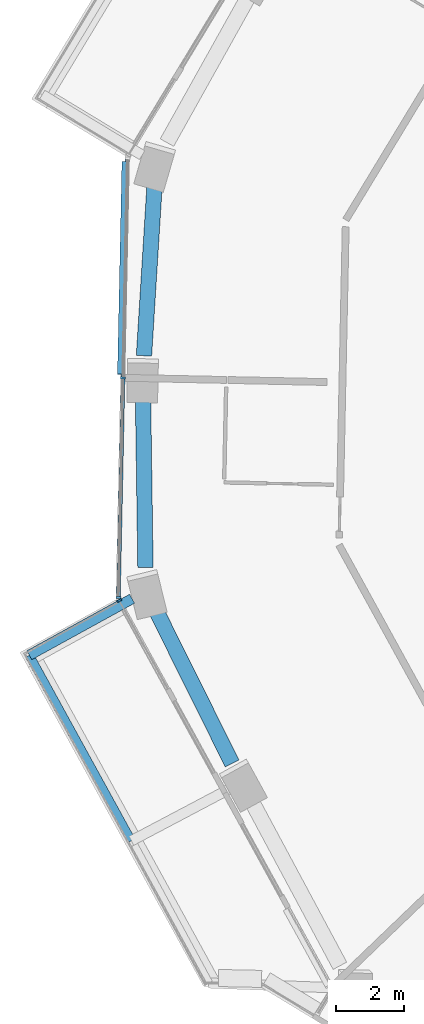
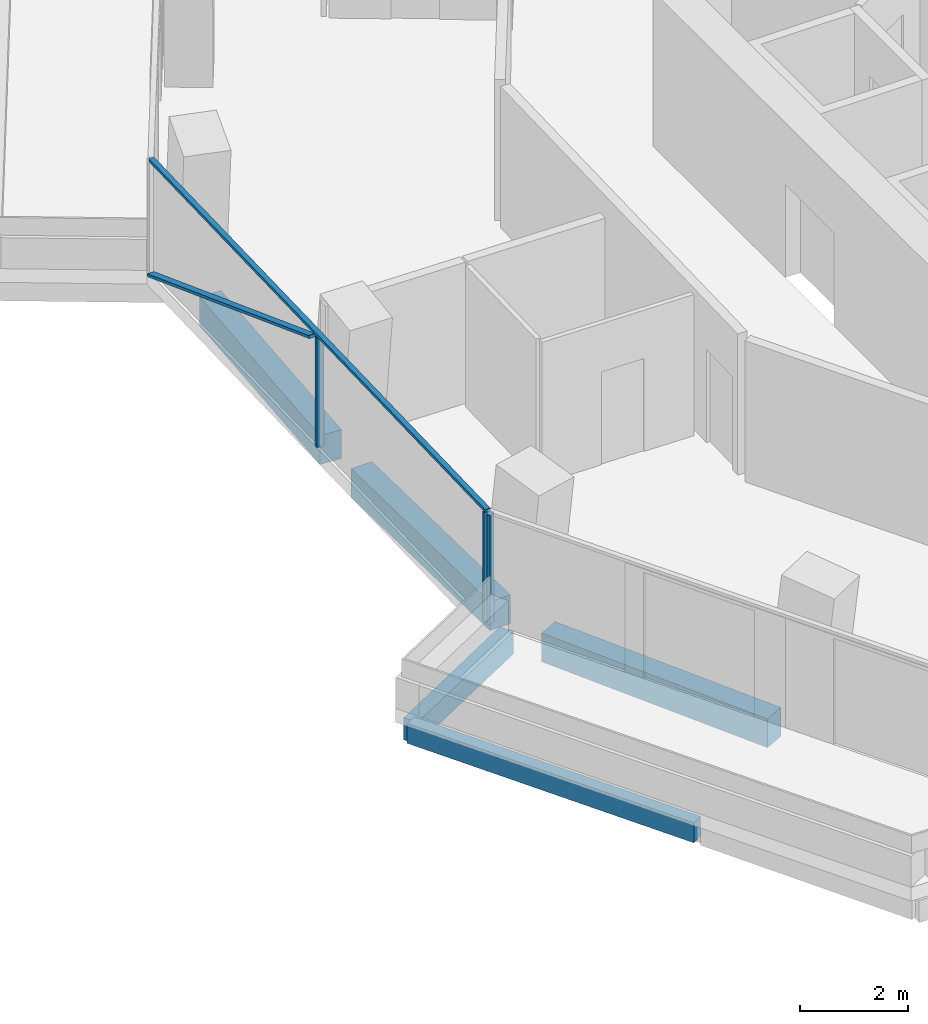
# One storey, part 4 of 22: 5 beams, 5 members, 2 elements without a shape of their own.
"""IFC4 building model written with IfcOpenShell, lengths in metres."""

from ifc_helpers import new_model, si_unit, direction, frame, origin, origin_2d, place, context, subcontext, project, spatial, rectangle, extrude, material, layer, layer_set, material_profile, profile_set, type_object, element, aggregate, save


model = new_model("IFC4")

# Units and contexts
model_context = context("Model", 3, precision=1e-05, world=origin(), true_north=direction((0.0, 1.0)))
body_context = subcontext(model_context, "Body", "Model", "MODEL_VIEW")
ifc_project = project(units=[si_unit("LENGTHUNIT", "METRE"), si_unit("AREAUNIT", "SQUARE_METRE"), si_unit("VOLUMEUNIT", "CUBIC_METRE"), si_unit("PLANEANGLEUNIT", "RADIAN"), si_unit("MASSUNIT", "GRAM", prefix="KILO")], contexts=[model_context])

# Site, building, storey
site_placement = place(None, origin())
site = spatial("IfcSite", under=ifc_project, at=site_placement, CompositionType="ELEMENT")
building_placement = place(site_placement, origin())
building = spatial("IfcBuilding", under=site, at=building_placement, Name="Verdalira Terraces Hotel", CompositionType="ELEMENT")
storey_placement = place(building_placement, frame((0.0, 0.0, 150.5)))
storey = spatial("IfcBuildingStorey", under=building, at=storey_placement, Name="L36", CompositionType="ELEMENT", Elevation=150.5)

# Beams
ifc_material_1 = material(Name="Concrete C40", Category="concrete")
ifc_material_profile_1 = material_profile(ifc_material_1, rectangle(XDim=0.300049, YDim=0.5, at=origin_2d()), Name="RC 300X500")
ifc_profile_set_1 = profile_set([ifc_material_profile_1], Name="Concrete C40")
beam_type_1 = type_object("IfcBeamType", Name="Balcony cantilever beam RC 300X500 C40", PredefinedType="BEAM", material=ifc_profile_set_1)
beam_1_placement = place(storey_placement, frame((-23.912842, -5.961182, -0.560059), z_axis=(-0.876286498, -0.481790384, 0.0), x_axis=(0.481790384, -0.876286498, 0.0)))
element("IfcBeam", 1, at=beam_1_placement, inside=storey, type_object=beam_type_1, Name="Balcony cantilever beam R13-1", PredefinedType="BEAM", context=body_context, shape_type="SweptSolid", body=[
    extrude(rectangle(XDim=0.300049, YDim=0.5, at=origin_2d()), origin(), (0.0, 0.0, 1.0), 3.431641),
])
ifc_material_2 = material(Name="Concrete C40", Category="concrete")
ifc_material_profile_2 = material_profile(ifc_material_2, rectangle(XDim=0.25, YDim=0.449951, at=origin_2d()), Name="RC 250X450")
ifc_profile_set_2 = profile_set([ifc_material_profile_2], Name="Concrete C40")
beam_type_2 = type_object("IfcBeamType", Name="Balcony edge beam RC 250X450 C40", PredefinedType="BEAM", material=ifc_profile_set_2)
beam_2_placement = place(storey_placement, frame((-26.919922, -7.614502, -0.534912), z_axis=(0.481746416, -0.87631067, 0.0), x_axis=(0.87631067, 0.481746416, 0.0)))
element("IfcBeam", 2, at=beam_2_placement, inside=storey, type_object=beam_type_2, Name="Balcony edge beam R13-1", PredefinedType="BEAM", context=body_context, shape_type="SweptSolid", body=[
    extrude(rectangle(XDim=0.25, YDim=0.449951, at=origin_2d()), origin(), (0.0, 0.0, 1.0), 6.199951),
])

# Curtain wall, members
ifc_material_3 = material(Name="Clear glass", Category="glass")
ifc_layer = layer(ifc_material_3, 0.14990234375)
ifc_layer_set = layer_set([ifc_layer], Name="CW1 curtain wall")
curtain_wall_type = type_object("IfcCurtainWallType", Name="CW1 curtain wall", PredefinedType="NOTDEFINED", material=ifc_layer_set)
curtain_wall_1_placement = place(storey_placement, origin())
curtain_wall_1 = element("IfcCurtainWall", 3, at=curtain_wall_1_placement, inside=storey, type_object=curtain_wall_type, Name="CW1 curtain wall L36 edge 12", PredefinedType="NOTDEFINED")
ifc_material_4 = material(Name="Terracotta frame", Category="masonry")
ifc_material_profile_3 = material_profile(ifc_material_4, rectangle(XDim=0.060059, YDim=0.149902, at=origin_2d()), Name="MU 60x150")
ifc_profile_set_3 = profile_set([ifc_material_profile_3], Name="Terracotta frame")
member_type_1 = type_object("IfcMemberType", Name="CW1 mullion 60x150", PredefinedType="MULLION", material=ifc_profile_set_3)
member_1_placement = place(storey_placement, frame((-24.177979, 0.506348, 0.0), z_axis=(0.0, 0.0, 1.0), x_axis=(-0.02094242, -0.999780683, 0.0)))
member_1 = element("IfcMember", 4, at=member_1_placement, type_object=member_type_1, Name="CW1 mullion", PredefinedType="MULLION", context=body_context, shape_type="SweptSolid", body=[
    extrude(rectangle(XDim=0.060059, YDim=0.149902, at=origin_2d()), origin(), (0.0, 0.0, 1.0), 2.475098),
])
member_2_placement = place(storey_placement, frame((-24.312744, -5.921875, 0.0), z_axis=(0.0, 0.0, 1.0), x_axis=(-0.02094242, -0.999780683, 0.0)))
member_2 = element("IfcMember", 5, at=member_2_placement, type_object=member_type_1, Name="CW1 mullion", PredefinedType="MULLION", context=body_context, shape_type="SweptSolid", body=[
    extrude(rectangle(XDim=0.060059, YDim=0.149902, at=origin_2d()), origin(), (0.0, 0.0, 1.0), 2.475098),
])

# Curtain wall, member
curtain_wall_2_placement = place(storey_placement, origin())
curtain_wall_2 = element("IfcCurtainWall", 6, at=curtain_wall_2_placement, inside=storey, type_object=curtain_wall_type, Name="CW1 curtain wall L36 edge 13", PredefinedType="NOTDEFINED")
member_3_placement = place(storey_placement, frame((-24.289551, -6.015869, 0.0), z_axis=(0.0, 0.0, 1.0), x_axis=(0.481753674, -0.87630668, 0.0)))
member_3 = element("IfcMember", 7, at=member_3_placement, type_object=member_type_1, Name="CW1 mullion", PredefinedType="MULLION", context=body_context, shape_type="SweptSolid", body=[
    extrude(rectangle(XDim=0.060059, YDim=0.149902, at=origin_2d()), origin(), (0.0, 0.0, 1.0), 2.475098),
])
aggregate(curtain_wall_2, [member_3])

# Member
ifc_material_5 = material(Name="Terracotta frame", Category="masonry")
ifc_material_profile_4 = material_profile(ifc_material_5, rectangle(XDim=0.110107, YDim=0.064941, at=origin_2d()), Name="TR 65x110")
ifc_profile_set_4 = profile_set([ifc_material_profile_4], Name="Terracotta frame")
member_type_2 = type_object("IfcMemberType", Name="CW1 transom 65x110", PredefinedType="USERDEFINED", material=ifc_profile_set_4)
member_4_placement = place(storey_placement, frame((-24.042725, 6.964844, 2.507568), z_axis=(-0.020937817, -0.99978078, 0.0), x_axis=(0.99978078, -0.020937817, 0.0)))
member_4 = element("IfcMember", 8, at=member_4_placement, type_object=member_type_2, Name="CW1 transom", ObjectType="TRANSOM", PredefinedType="USERDEFINED", context=body_context, shape_type="SweptSolid", body=[
    extrude(rectangle(XDim=0.110107, YDim=0.064941, at=origin_2d()), origin(), (0.0, 0.0, 1.0), 12.919678),
])

ifc_material_6 = material(Name="Terracotta frame", Category="masonry")
ifc_material_profile_5 = material_profile(ifc_material_6, rectangle(XDim=0.149902, YDim=0.060059, at=origin_2d()), Name="GB 60x150")
ifc_profile_set_5 = profile_set([ifc_material_profile_5], Name="Terracotta frame")
member_type_3 = type_object("IfcMemberType", Name="Diagonal glazing bar 60x150", PredefinedType="USERDEFINED", material=ifc_profile_set_5)
member_5_placement = place(storey_placement, frame((-24.134521, 6.833008, 0.028809), z_axis=(-0.019529986, -0.931916796, 0.362145917), x_axis=(0.999780479, -0.020952191, 0.0)))
member_5 = element("IfcMember", 9, at=member_5_placement, type_object=member_type_3, Name="Diagonal glazing bar", ObjectType="GLAZING BAR", PredefinedType="USERDEFINED", context=body_context, shape_type="SweptSolid", body=[
    extrude(rectangle(XDim=0.149902, YDim=0.060059, at=origin_2d()), origin(), (0.0, 0.0, 1.0), 6.675537),
])

aggregate(curtain_wall_1, [member_1, member_2, member_4, member_5])

# Beams
ifc_material_7 = material(Name="Concrete C50", Category="concrete")
ifc_material_profile_6 = material_profile(ifc_material_7, rectangle(XDim=0.449951, YDim=0.649902, at=origin_2d()), Name="RC 450X650")
ifc_profile_set_6 = profile_set([ifc_material_profile_6], Name="Concrete C50")
beam_type_3 = type_object("IfcBeamType", Name="Spandrel beam RC 450X650 C50", PredefinedType="SPANDREL", material=ifc_profile_set_6)
beam_3_placement = place(storey_placement, frame((-23.252197, 6.156494, -0.63501), z_axis=(-0.062308583, -0.998056932, 0.0), x_axis=(0.998056932, -0.062308583, 0.0)))
element("IfcBeam", 10, at=beam_3_placement, inside=storey, type_object=beam_type_3, Name="Spandrel beam B04", PredefinedType="SPANDREL", context=body_context, shape_type="SweptSolid", body=[
    extrude(rectangle(XDim=0.449951, YDim=0.649902, at=origin_2d()), origin(), (0.0, 0.0, 1.0), 5.015381),
])
beam_4_placement = place(storey_placement, frame((-23.592529, -0.031494, -0.63501), z_axis=(0.014320433, -0.999897457, 0.0), x_axis=(0.999897457, 0.014320433, 0.0)))
element("IfcBeam", 11, at=beam_4_placement, inside=storey, type_object=beam_type_3, Name="Spandrel beam B05", PredefinedType="SPANDREL", context=body_context, shape_type="SweptSolid", body=[
    extrude(rectangle(XDim=0.449951, YDim=0.649902, at=origin_2d()), origin(), (0.0, 0.0, 1.0), 5.012207),
])
beam_5_placement = place(storey_placement, frame((-23.215332, -6.294434, -0.63501), z_axis=(0.44510948, -0.895476159, 0.0), x_axis=(0.895476159, 0.44510948, 0.0)))
element("IfcBeam", 12, at=beam_5_placement, inside=storey, type_object=beam_type_3, Name="Spandrel beam B06", PredefinedType="SPANDREL", context=body_context, shape_type="SweptSolid", body=[
    extrude(rectangle(XDim=0.449951, YDim=0.649902, at=origin_2d()), origin(), (0.0, 0.0, 1.0), 5.015381),
])

save(model, "model.ifc")
